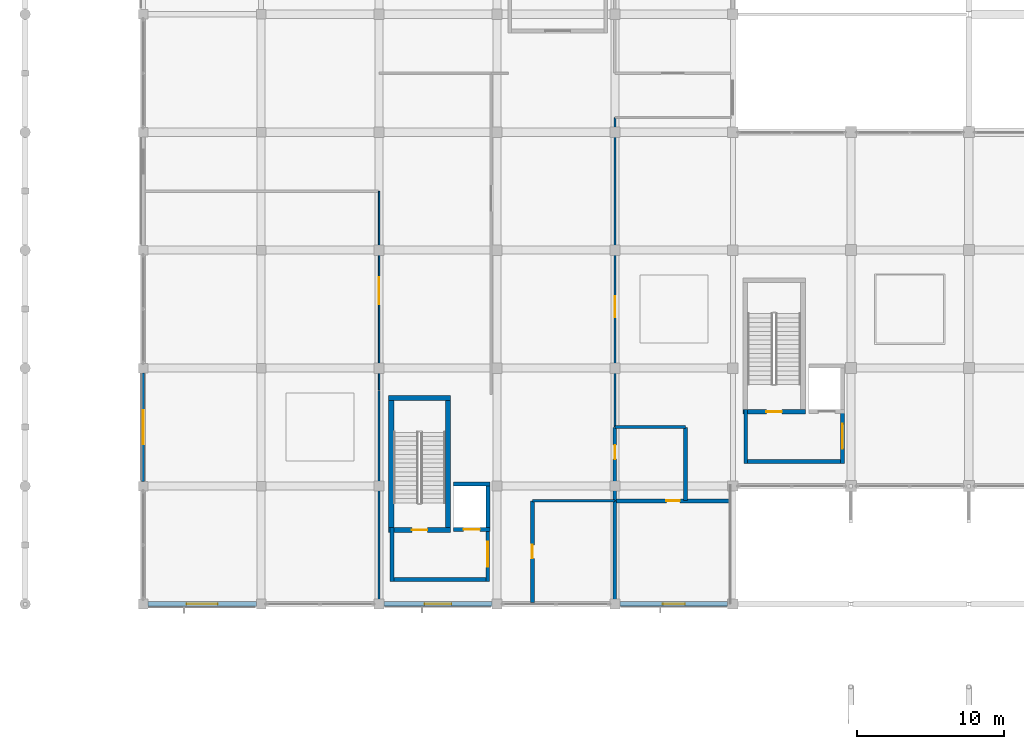
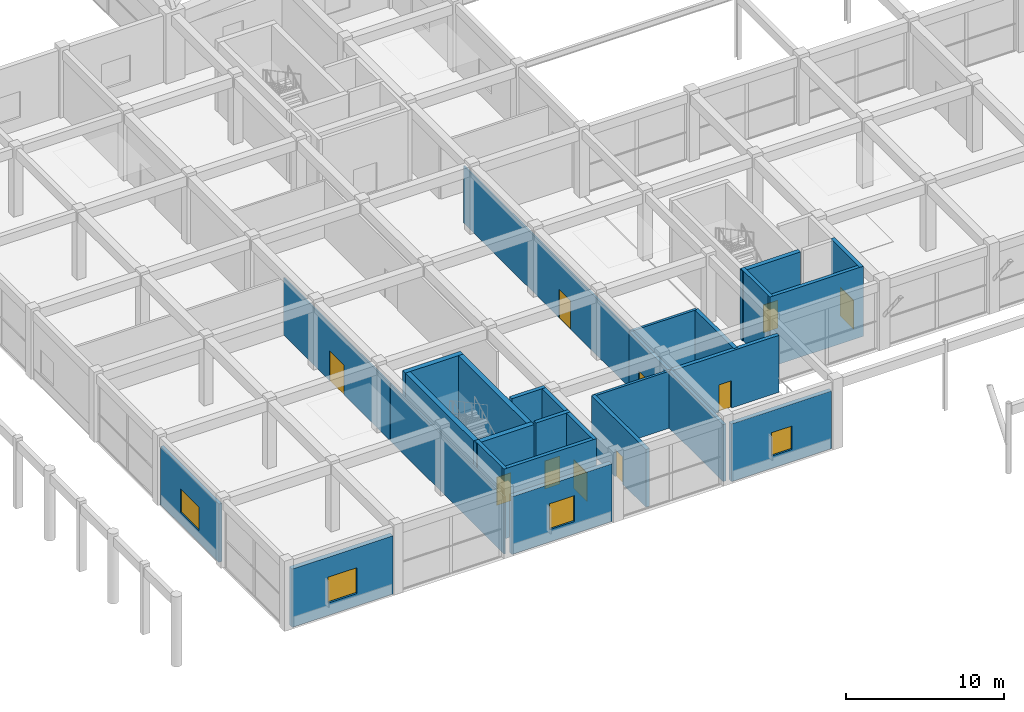
# One storey, part 47 of 69: 28 walls, 10 doors, 4 windows, 14 openings.
"""IFC4 building model written with IfcOpenShell, lengths in metres."""

from ifc_helpers import new_model, si_unit, direction, frame, frame_2d, origin, place, context, subcontext, project, spatial, rectangle, extrude, material, layer, layer_set, type_object, element, fill, save


model = new_model("IFC4")

# Units and contexts
model_context = context("Model", 3, precision=1e-05, world=origin(), true_north=direction((0.0, 1.0)))
body_context = subcontext(model_context, "Body", "Model", "MODEL_VIEW")
ifc_project = project(units=[si_unit("LENGTHUNIT", "METRE"), si_unit("AREAUNIT", "SQUARE_METRE"), si_unit("VOLUMEUNIT", "CUBIC_METRE"), si_unit("PLANEANGLEUNIT", "RADIAN"), si_unit("MASSUNIT", "GRAM", prefix="KILO")], contexts=[model_context])

# Site, building, storey
site_placement = place(None, origin())
site = spatial("IfcSite", under=ifc_project, at=site_placement, CompositionType="ELEMENT")
building_placement = place(site_placement, origin())
building = spatial("IfcBuilding", under=site, at=building_placement, Name="Kenh Van Central Station", CompositionType="ELEMENT")
storey_placement = place(building_placement, frame((0.0, 0.0, 5.39990234375)))
storey = spatial("IfcBuildingStorey", under=building, at=storey_placement, Name="L01", CompositionType="ELEMENT", Elevation=5.39990234375)

# Wall, opening, door
ifc_material_1 = material(Name="Concrete C40/50", Category="concrete")
ifc_layer_1 = layer(ifc_material_1, 0.280029296875, Name="Concrete C40/50")
ifc_layer_set_1 = layer_set([ifc_layer_1], Name="Concrete C40/50")
wall_type_1 = type_object("IfcWallType", Name="WL-CORE-280", PredefinedType="SHEAR", material=ifc_layer_set_1)
wall_1_placement = place(storey_placement, frame((29.050048828125, 13.06005859375, 0.0), z_axis=(0.0, 0.0, 1.0), x_axis=(1.0, 0.0, 0.0)))
wall_1 = element("IfcWall", 1, at=wall_1_placement, inside=storey, type_object=wall_type_1, Name="L01 LIFT-P1 shaft wall S", PredefinedType="SHEAR", context=body_context, shape_type="SweptSolid", body=[
    extrude(rectangle(XDim=2.47998046875, YDim=0.280029296875, at=frame_2d((1.239990234375, 0.0))), origin(), (0.0, 0.0, 1.0), 5.400146484375),
])
opening_1_placement = place(wall_1_placement, frame((0.68994140625, 0.0, 0.0)))
opening_1 = element("IfcOpeningElement", 2, at=opening_1_placement, cuts=wall_1, Name="Opening LD-P1", PredefinedType="OPENING", context=body_context, shape_type="SweptSolid", body=[
    extrude(rectangle(XDim=1.10009765625, YDim=2.14990234375, at=frame_2d((0.550048828125, 1.074951171875))), frame((0.0, 0.14990234375, 0.0), z_axis=(0.0, -1.0, 0.0), x_axis=(1.0, 0.0, 0.0)), (0.0, 0.0, 1.0), 0.300048828125),
])
ifc_material_2 = material(Name="Champagne anodised aluminium", Category="aluminium")
door_type_1 = type_object("IfcDoorType", Name="DR-LIFT-1100x2150", OperationType="SLIDING_TO_LEFT", PredefinedType="DOOR", material=ifc_material_2)
door_1_placement = place(opening_1_placement, origin())
door_1 = element("IfcDoor", 3, at=door_1_placement, inside=storey, type_object=door_type_1, Name="L01 LIFT-P1 sliding landing door", OperationType="SLIDING_TO_LEFT", OverallHeight=2.14990234375, OverallWidth=1.10009765625, PredefinedType="DOOR", context=body_context, shape_type="SweptSolid", body=[
    extrude(rectangle(XDim=1.10009765625, YDim=2.14990234375, at=frame_2d((0.550048828125, 1.074951171875))), frame((0.0, 0.02490234375, 0.0), z_axis=(0.0, -1.0, 0.0), x_axis=(1.0, 0.0, 0.0)), (0.0, 0.0, 1.0), 0.050048828125),
])
fill(opening_1, door_1)

# Walls
wall_2_placement = place(storey_placement, frame((29.050048828125, 16.139892578125, 0.0), z_axis=(0.0, 0.0, 1.0), x_axis=(1.0, 0.0, 0.0)))
element("IfcWall", 4, at=wall_2_placement, inside=storey, type_object=wall_type_1, Name="L01 LIFT-P1 shaft wall N", PredefinedType="SHEAR", context=body_context, shape_type="SweptSolid", body=[
    extrude(rectangle(XDim=2.47998046875, YDim=0.280029296875, at=frame_2d((1.239990234375, 0.0))), origin(), (0.0, 0.0, 1.0), 5.400146484375),
])
wall_3_placement = place(storey_placement, frame((31.389892578125, 13.199951171875, 0.0), z_axis=(0.0, 0.0, 1.0), x_axis=(0.0, 1.0, 0.0)))
element("IfcWall", 5, at=wall_3_placement, inside=storey, type_object=wall_type_1, Name="L01 LIFT-P1 shaft wall E", PredefinedType="SHEAR", context=body_context, shape_type="SweptSolid", body=[
    extrude(rectangle(XDim=2.800048828125, YDim=0.280029296875, at=frame_2d((1.39990234375, 0.0))), origin(), (0.0, 0.0, 1.0), 5.400146484375),
])

# Wall, opening, door
ifc_layer_2 = layer(ifc_material_1, 0.320068359375, Name="Concrete C40/50")
ifc_layer_set_2 = layer_set([ifc_layer_2], Name="Concrete C40/50")
wall_type_2 = type_object("IfcWallType", Name="WL-CORE-320", PredefinedType="SHEAR", material=ifc_layer_set_2)
wall_4_placement = place(storey_placement, frame((48.679931640625, 21.0400390625, 0.0), z_axis=(0.0, 0.0, 1.0), x_axis=(1.0, 0.0, 0.0)))
wall_4 = element("IfcWall", 6, at=wall_4_placement, inside=storey, type_object=wall_type_2, Name="L01 CORE-03 stair wall S", PredefinedType="SHEAR", context=body_context, shape_type="SweptSolid", body=[
    extrude(rectangle(XDim=4.239990234375, YDim=0.320068359375, at=frame_2d((2.1201171875, 0.0))), origin(), (0.0, 0.0, 1.0), 5.400146484375),
])
opening_2_placement = place(wall_4_placement, frame((1.594970703125, 0.0, 0.0)))
opening_2 = element("IfcOpeningElement", 7, at=opening_2_placement, cuts=wall_4, Name="Opening D-FD60", PredefinedType="OPENING", context=body_context, shape_type="SweptSolid", body=[
    extrude(rectangle(XDim=1.050048828125, YDim=2.14990234375, at=frame_2d((0.52490234375, 1.074951171875))), frame((0.0, 0.169921875, 0.0), z_axis=(0.0, -1.0, 0.0), x_axis=(1.0, 0.0, 0.0)), (0.0, 0.0, 1.0), 0.340087890625),
])
door_type_2 = type_object("IfcDoorType", Name="DR-FIRE-1050x2150", OperationType="NOTDEFINED", PredefinedType="DOOR", material=ifc_material_2)
door_2_placement = place(opening_2_placement, origin())
door_2 = element("IfcDoor", 8, at=door_2_placement, inside=storey, type_object=door_type_2, Name="L01 ST-03 stair door", OperationType="SINGLE_SWING_RIGHT", OverallHeight=2.14990234375, OverallWidth=1.050048828125, PredefinedType="DOOR", context=body_context, shape_type="SweptSolid", body=[
    extrude(rectangle(XDim=1.050048828125, YDim=2.14990234375, at=frame_2d((0.52490234375, 1.074951171875))), frame((0.0, 0.02490234375, 0.0), z_axis=(0.0, -1.0, 0.0), x_axis=(1.0, 0.0, 0.0)), (0.0, 0.0, 1.0), 0.050048828125),
])
fill(opening_2, door_2)

ifc_layer_3 = layer(ifc_material_1, 0.360107421875, Name="Concrete C40/50")
ifc_layer_set_3 = layer_set([ifc_layer_3], Name="Concrete C40/50")
wall_type_3 = type_object("IfcWallType", Name="WL-CORE-360", PredefinedType="SHEAR", material=ifc_layer_set_3)
wall_5_placement = place(storey_placement, frame((24.639892578125, 13.02001953125, 0.0), z_axis=(0.0, 0.0, 1.0), x_axis=(1.0, 0.0, 0.0)))
wall_5 = element("IfcWall", 9, at=wall_5_placement, inside=storey, type_object=wall_type_3, Name="L01 CORE-01 stair wall S", PredefinedType="SHEAR", context=body_context, shape_type="SweptSolid", body=[
    extrude(rectangle(XDim=4.22021484375, YDim=0.360107421875, at=frame_2d((2.110107421875, 0.0))), origin(), (0.0, 0.0, 1.0), 5.400146484375),
])
opening_3_placement = place(wall_5_placement, frame((1.5849609375, 0.0, 0.0)))
opening_3 = element("IfcOpeningElement", 10, at=opening_3_placement, cuts=wall_5, Name="Opening D-FD60", PredefinedType="OPENING", context=body_context, shape_type="SweptSolid", body=[
    extrude(rectangle(XDim=1.050048828125, YDim=2.14990234375, at=frame_2d((0.52490234375, 1.074951171875))), frame((0.0, 0.18994140625, 0.0), z_axis=(0.0, -1.0, 0.0), x_axis=(1.0, 0.0, 0.0)), (0.0, 0.0, 1.0), 0.380126953125),
])
door_3_placement = place(opening_3_placement, origin())
door_3 = element("IfcDoor", 11, at=door_3_placement, inside=storey, type_object=door_type_2, Name="L01 ST-01 stair door", OperationType="SINGLE_SWING_RIGHT", OverallHeight=2.14990234375, OverallWidth=1.050048828125, PredefinedType="DOOR", context=body_context, shape_type="SweptSolid", body=[
    extrude(rectangle(XDim=1.050048828125, YDim=2.14990234375, at=frame_2d((0.52490234375, 1.074951171875))), frame((0.0, 0.02490234375, 0.0), z_axis=(0.0, -1.0, 0.0), x_axis=(1.0, 0.0, 0.0)), (0.0, 0.0, 1.0), 0.050048828125),
])
fill(opening_3, door_3)

# Walls
wall_6_placement = place(storey_placement, frame((24.639892578125, 21.97998046875, 0.0), z_axis=(0.0, 0.0, 1.0), x_axis=(1.0, 0.0, 0.0)))
element("IfcWall", 12, at=wall_6_placement, inside=storey, type_object=wall_type_3, Name="L01 CORE-01 stair wall N", PredefinedType="SHEAR", context=body_context, shape_type="SweptSolid", body=[
    extrude(rectangle(XDim=4.22021484375, YDim=0.360107421875, at=frame_2d((2.110107421875, 0.0))), origin(), (0.0, 0.0, 1.0), 5.400146484375),
])
for number, where, z_axis, x_axis, name in (
    (13, (24.820068359375, 13.199951171875, 0.0), (0.0, 0.0, 1.0), (0.0, 1.0, 0.0), "L01 CORE-01 stair wall W"),
    (14, (28.679931640625, 13.199951171875, 0.0), (0.0, 0.0, 1.0), (0.0, 1.0, 0.0), "L01 CORE-01 stair wall E"),
):
    element("IfcWall", number, at=place(storey_placement, frame(where, z_axis=z_axis, x_axis=x_axis)), inside=storey, type_object=wall_type_3, Name=name, PredefinedType="SHEAR", context=body_context, shape_type="SweptSolid", body=[
        extrude(rectangle(XDim=8.60009765625, YDim=0.360107421875, at=frame_2d((4.300048828125, 0.0))), origin(), (0.0, 0.0, 1.0), 5.400146484375),
    ])

# Wall, opening, window
ifc_material_3 = material(Name="Saigon buff sandstone and terracotta masonry", Category="masonry")
ifc_layer_4 = layer(ifc_material_3, 0.31005859375, Name="Saigon buff sandstone and terracotta masonry")
ifc_layer_set_4 = layer_set([ifc_layer_4], Name="Saigon buff sandstone and terracotta masonry")
wall_type_4 = type_object("IfcWallType", Name="WL-EXT-310", PredefinedType="STANDARD", material=ifc_layer_set_4)
wall_7_placement = place(storey_placement, frame((40.35009765625, 8.0, 0.0), z_axis=(0.0, 0.0, 1.0), x_axis=(1.0, 0.0, 0.0)))
wall_7 = element("IfcWall", 15, at=wall_7_placement, inside=storey, type_object=wall_type_4, Name="L01 exterior wall 051", PredefinedType="STANDARD", context=body_context, shape_type="SweptSolid", body=[
    extrude(rectangle(XDim=7.2998046875, YDim=0.31005859375, at=frame_2d((3.64990234375, 0.0))), origin(), (0.0, 0.0, 1.0), 4.440185546875),
])
opening_4_placement = place(wall_7_placement, frame((2.89990234375, 0.0, 0.949951171875)))
opening_4 = element("IfcOpeningElement", 16, at=opening_4_placement, cuts=wall_7, Name="Opening WN-11", PredefinedType="OPENING", context=body_context, shape_type="SweptSolid", body=[
    extrude(rectangle(XDim=1.5, YDim=1.800048828125, at=frame_2d((0.75, 0.89990234375))), frame((0.0, 0.1650390625, 0.0), z_axis=(0.0, -1.0, 0.0), x_axis=(1.0, 0.0, 0.0)), (0.0, 0.0, 1.0), 0.330078125),
])
ifc_material_4 = material(Name="Double-glazed low-E laminated solar glass", Category="glass")
window_type_1 = type_object("IfcWindowType", Name="WN-RETL-1500x1800", PartitioningType="SINGLE_PANEL", PredefinedType="WINDOW", material=ifc_material_4)
window_1_placement = place(opening_4_placement, origin())
window_1 = element("IfcWindow", 17, at=window_1_placement, inside=storey, type_object=window_type_1, Name="L01 window 023", OverallHeight=1.800048828125, OverallWidth=1.5, PartitioningType="SINGLE_PANEL", PredefinedType="WINDOW", context=body_context, shape_type="SweptSolid", body=[
    extrude(rectangle(XDim=1.5, YDim=1.800048828125, at=frame_2d((0.75, 0.89990234375))), frame((0.0, 0.030029296875, 0.0), z_axis=(0.0, -1.0, 0.0), x_axis=(1.0, 0.0, 0.0)), (0.0, 0.0, 1.0), 0.06005859375),
])
fill(opening_4, window_1)

ifc_layer_5 = layer(ifc_material_3, 0.330078125, Name="Saigon buff sandstone and terracotta masonry")
ifc_layer_set_5 = layer_set([ifc_layer_5], Name="Saigon buff sandstone and terracotta masonry")
wall_type_5 = type_object("IfcWallType", Name="WL-EXT-330", PredefinedType="STANDARD", material=ifc_layer_set_5)
wall_8_placement = place(storey_placement, frame((24.35009765625, 8.0, 0.0), z_axis=(0.0, 0.0, 1.0), x_axis=(1.0, 0.0, 0.0)))
wall_8 = element("IfcWall", 18, at=wall_8_placement, inside=storey, type_object=wall_type_5, Name="L01 exterior wall 050", PredefinedType="STANDARD", context=body_context, shape_type="SweptSolid", body=[
    extrude(rectangle(XDim=7.2998046875, YDim=0.330078125, at=frame_2d((3.64990234375, 0.0))), origin(), (0.0, 0.0, 1.0), 4.440185546875),
])
opening_5_placement = place(wall_8_placement, frame((2.75, 0.0, 0.949951171875)))
opening_5 = element("IfcOpeningElement", 19, at=opening_5_placement, cuts=wall_8, Name="Opening WN-10", PredefinedType="OPENING", context=body_context, shape_type="SweptSolid", body=[
    extrude(rectangle(XDim=1.800048828125, YDim=2.0, at=frame_2d((0.89990234375, 1.0))), frame((0.0, 0.175048828125, 0.0), z_axis=(0.0, -1.0, 0.0), x_axis=(1.0, 0.0, 0.0)), (0.0, 0.0, 1.0), 0.35009765625),
])
window_type_2 = type_object("IfcWindowType", Name="WN-RETL-1800x2000", PartitioningType="DOUBLE_PANEL_VERTICAL", PredefinedType="WINDOW", material=ifc_material_4)
window_2_placement = place(opening_5_placement, origin())
window_2 = element("IfcWindow", 20, at=window_2_placement, inside=storey, type_object=window_type_2, Name="L01 window 022", OverallHeight=2.0, OverallWidth=1.800048828125, PartitioningType="SINGLE_PANEL", PredefinedType="WINDOW", context=body_context, shape_type="SweptSolid", body=[
    extrude(rectangle(XDim=1.800048828125, YDim=2.0, at=frame_2d((0.89990234375, 1.0))), frame((0.0, 0.030029296875, 0.0), z_axis=(0.0, -1.0, 0.0), x_axis=(1.0, 0.0, 0.0)), (0.0, 0.0, 1.0), 0.06005859375),
])
fill(opening_5, window_2)

ifc_layer_6 = layer(ifc_material_3, 0.35009765625, Name="Saigon buff sandstone and terracotta masonry")
ifc_layer_set_6 = layer_set([ifc_layer_6], Name="Saigon buff sandstone and terracotta masonry")
wall_type_6 = type_object("IfcWallType", Name="WL-EXT-350", PredefinedType="STANDARD", material=ifc_layer_set_6)
wall_9_placement = place(storey_placement, frame((8.324951171875, 8.0, 0.0), z_axis=(0.0, 0.0, 1.0), x_axis=(1.0, 0.0, 0.0)))
wall_9 = element("IfcWall", 21, at=wall_9_placement, inside=storey, type_object=wall_type_6, Name="L01 exterior wall 049", PredefinedType="STANDARD", context=body_context, shape_type="SweptSolid", body=[
    extrude(rectangle(XDim=7.35009765625, YDim=0.35009765625, at=frame_2d((3.675048828125, 0.0))), origin(), (0.0, 0.0, 1.0), 4.485107421875),
])
opening_6_placement = place(wall_9_placement, frame((2.625, 0.0, 0.949951171875)))
opening_6 = element("IfcOpeningElement", 22, at=opening_6_placement, cuts=wall_9, Name="Opening WN-09", PredefinedType="OPENING", context=body_context, shape_type="SweptSolid", body=[
    extrude(rectangle(XDim=2.10009765625, YDim=2.0, at=frame_2d((1.050048828125, 1.0))), frame((0.0, 0.18505859375, 0.0), z_axis=(0.0, -1.0, 0.0), x_axis=(1.0, 0.0, 0.0)), (0.0, 0.0, 1.0), 0.3701171875),
])
window_type_3 = type_object("IfcWindowType", Name="WN-RETL-2100x2000", PartitioningType="DOUBLE_PANEL_VERTICAL", PredefinedType="WINDOW", material=ifc_material_4)
window_3_placement = place(opening_6_placement, origin())
window_3 = element("IfcWindow", 23, at=window_3_placement, inside=storey, type_object=window_type_3, Name="L01 window 021", OverallHeight=2.0, OverallWidth=2.10009765625, PartitioningType="SINGLE_PANEL", PredefinedType="WINDOW", context=body_context, shape_type="SweptSolid", body=[
    extrude(rectangle(XDim=2.10009765625, YDim=2.0, at=frame_2d((1.050048828125, 1.0))), frame((0.0, 0.030029296875, 0.0), z_axis=(0.0, -1.0, 0.0), x_axis=(1.0, 0.0, 0.0)), (0.0, 0.0, 1.0), 0.06005859375),
])
fill(opening_6, window_3)

# Walls
ifc_layer_7 = layer(ifc_material_1, 0.260009765625, Name="Concrete C40/50")
ifc_layer_set_7 = layer_set([ifc_layer_7], Name="Concrete C40/50")
wall_type_7 = type_object("IfcWallType", Name="WL-FIRE-260", PredefinedType="SHEAR", material=ifc_layer_set_7)
wall_10_placement = place(storey_placement, frame((31.510009765625, 9.669921875, 0.0), z_axis=(0.0, 0.0, 1.0), x_axis=(-1.0, 0.0, 0.0)))
element("IfcWall", 24, at=wall_10_placement, inside=storey, type_object=wall_type_7, Name="L01 CORE-01 lobby wall S", PredefinedType="SHEAR", context=body_context, shape_type="SweptSolid", body=[
    extrude(rectangle(XDim=6.77001953125, YDim=0.260009765625, at=frame_2d((3.385009765625, 0.0))), origin(), (0.0, 0.0, 1.0), 5.400146484375),
])
wall_11_placement = place(storey_placement, frame((24.8701171875, 9.5400390625, 0.0), z_axis=(0.0, 0.0, 1.0), x_axis=(0.0, 1.0, 0.0)))
element("IfcWall", 25, at=wall_11_placement, inside=storey, type_object=wall_type_7, Name="L01 CORE-01 lobby wall W", PredefinedType="SHEAR", context=body_context, shape_type="SweptSolid", body=[
    extrude(rectangle(XDim=3.659912109375, YDim=0.260009765625, at=frame_2d((1.830078125, 0.0))), origin(), (0.0, 0.0, 1.0), 5.400146484375),
])

# Wall, opening, door
wall_12_placement = place(storey_placement, frame((31.3798828125, 9.5400390625, 0.0), z_axis=(0.0, 0.0, 1.0), x_axis=(0.0, 1.0, 0.0)))
wall_12 = element("IfcWall", 26, at=wall_12_placement, inside=storey, type_object=wall_type_7, Name="L01 CORE-01 lobby wall E", PredefinedType="SHEAR", context=body_context, shape_type="SweptSolid", body=[
    extrude(rectangle(XDim=3.659912109375, YDim=0.260009765625, at=frame_2d((1.830078125, 0.0))), origin(), (0.0, 0.0, 1.0), 5.400146484375),
])
opening_7_placement = place(wall_12_placement, frame((0.97998046875, 0.0, 0.0)))
opening_7 = element("IfcOpeningElement", 27, at=opening_7_placement, cuts=wall_12, Name="Opening D-FD60D", PredefinedType="OPENING", context=body_context, shape_type="SweptSolid", body=[
    extrude(rectangle(XDim=1.699951171875, YDim=2.199951171875, at=frame_2d((0.85009765625, 1.10009765625))), frame((0.0, 0.139892578125, 0.0), z_axis=(0.0, -1.0, 0.0), x_axis=(1.0, 0.0, 0.0)), (0.0, 0.0, 1.0), 0.280029296875),
])
door_type_3 = type_object("IfcDoorType", Name="DR-FIRE-1700x2200", OperationType="DOUBLE_DOOR_SINGLE_SWING", PredefinedType="DOOR", material=ifc_material_2)
door_4_placement = place(opening_7_placement, origin())
door_4 = element("IfcDoor", 28, at=door_4_placement, inside=storey, type_object=door_type_3, Name="L01 CORE-01 smoke-stop lobby door", OperationType="DOUBLE_DOOR_SINGLE_SWING", OverallHeight=2.199951171875, OverallWidth=1.699951171875, PredefinedType="DOOR", context=body_context, shape_type="SweptSolid", body=[
    extrude(rectangle(XDim=1.699951171875, YDim=2.199951171875, at=frame_2d((0.85009765625, 1.10009765625))), frame((0.0, 0.02490234375, 0.0), z_axis=(0.0, -1.0, 0.0), x_axis=(1.0, 0.0, 0.0)), (0.0, 0.0, 1.0), 0.050048828125),
])
fill(opening_7, door_4)

# Walls
wall_13_placement = place(storey_placement, frame((55.56005859375, 17.669921875, 0.0), z_axis=(0.0, 0.0, 1.0), x_axis=(-1.0, 0.0, 0.0)))
element("IfcWall", 29, at=wall_13_placement, inside=storey, type_object=wall_type_7, Name="L01 CORE-03 lobby wall S", PredefinedType="SHEAR", context=body_context, shape_type="SweptSolid", body=[
    extrude(rectangle(XDim=6.820068359375, YDim=0.260009765625, at=frame_2d((3.41015625, 0.0))), origin(), (0.0, 0.0, 1.0), 5.400146484375),
])
wall_14_placement = place(storey_placement, frame((48.8701171875, 17.5400390625, 0.0), z_axis=(0.0, 0.0, 1.0), x_axis=(0.0, 1.0, 0.0)))
element("IfcWall", 30, at=wall_14_placement, inside=storey, type_object=wall_type_7, Name="L01 CORE-03 lobby wall W", PredefinedType="SHEAR", context=body_context, shape_type="SweptSolid", body=[
    extrude(rectangle(XDim=3.659912109375, YDim=0.260009765625, at=frame_2d((1.830078125, 0.0))), origin(), (0.0, 0.0, 1.0), 5.400146484375),
])

# Wall, opening, door
wall_15_placement = place(storey_placement, frame((55.429931640625, 17.5400390625, 0.0), z_axis=(0.0, 0.0, 1.0), x_axis=(0.0, 1.0, 0.0)))
wall_15 = element("IfcWall", 31, at=wall_15_placement, inside=storey, type_object=wall_type_7, Name="L01 CORE-03 lobby wall E", PredefinedType="SHEAR", context=body_context, shape_type="SweptSolid", body=[
    extrude(rectangle(XDim=3.659912109375, YDim=0.260009765625, at=frame_2d((1.830078125, 0.0))), origin(), (0.0, 0.0, 1.0), 5.400146484375),
])
opening_8_placement = place(wall_15_placement, frame((0.97998046875, 0.0, 0.0)))
opening_8 = element("IfcOpeningElement", 32, at=opening_8_placement, cuts=wall_15, Name="Opening D-FD60D", PredefinedType="OPENING", context=body_context, shape_type="SweptSolid", body=[
    extrude(rectangle(XDim=1.699951171875, YDim=2.199951171875, at=frame_2d((0.85009765625, 1.10009765625))), frame((0.0, 0.139892578125, 0.0), z_axis=(0.0, -1.0, 0.0), x_axis=(1.0, 0.0, 0.0)), (0.0, 0.0, 1.0), 0.280029296875),
])
door_5_placement = place(opening_8_placement, origin())
door_5 = element("IfcDoor", 33, at=door_5_placement, inside=storey, type_object=door_type_3, Name="L01 CORE-03 smoke-stop lobby door", OperationType="DOUBLE_DOOR_SINGLE_SWING", OverallHeight=2.199951171875, OverallWidth=1.699951171875, PredefinedType="DOOR", context=body_context, shape_type="SweptSolid", body=[
    extrude(rectangle(XDim=1.699951171875, YDim=2.199951171875, at=frame_2d((0.85009765625, 1.10009765625))), frame((0.0, 0.02490234375, 0.0), z_axis=(0.0, -1.0, 0.0), x_axis=(1.0, 0.0, 0.0)), (0.0, 0.0, 1.0), 0.050048828125),
])
fill(opening_8, door_5)

ifc_material_5 = material(Name="Lightweight acoustic masonry blockwork", Category="masonry")
ifc_layer_8 = layer(ifc_material_5, 0.10009765625, Name="Lightweight acoustic masonry blockwork")
ifc_layer_set_8 = layer_set([ifc_layer_8], Name="Lightweight acoustic masonry blockwork")
wall_type_8 = type_object("IfcWallType", Name="WL-PART-100", PredefinedType="PARTITIONING", material=ifc_layer_set_8)
wall_16_placement = place(storey_placement, frame((24.0, 22.52001953125, 0.0), z_axis=(0.0, 0.0, 1.0), x_axis=(0.0, 1.0, 0.0)))
wall_16 = element("IfcWall", 34, at=wall_16_placement, inside=storey, type_object=wall_type_8, Name="L01 interior wall 0097", PredefinedType="PARTITIONING", context=body_context, shape_type="SweptSolid", body=[
    extrude(rectangle(XDim=13.4599609375, YDim=0.10009765625, at=frame_2d((6.72998046875, 0.0))), origin(), (0.0, 0.0, 1.0), 4.39013671875),
])
opening_9_placement = place(wall_16_placement, frame((5.804931640625, 0.0, 0.0)))
opening_9 = element("IfcOpeningElement", 35, at=opening_9_placement, cuts=wall_16, Name="Opening D-IN01", PredefinedType="OPENING", context=body_context, shape_type="SweptSolid", body=[
    extrude(rectangle(XDim=1.85009765625, YDim=2.300048828125, at=frame_2d((0.925048828125, 1.14990234375))), frame((0.0, 0.06005859375, 0.0), z_axis=(0.0, -1.0, 0.0), x_axis=(1.0, 0.0, 0.0)), (0.0, 0.0, 1.0), 0.1201171875),
])
ifc_material_6 = material(Name="Architectural hardwood timber", Category="wood")
door_type_4 = type_object("IfcDoorType", Name="DR-INT-1850x2300", OperationType="DOUBLE_DOOR_SINGLE_SWING", PredefinedType="DOOR", material=ifc_material_6)
door_6_placement = place(opening_9_placement, origin())
door_6 = element("IfcDoor", 36, at=door_6_placement, inside=storey, type_object=door_type_4, Name="L01 interior door 0053", OperationType="DOUBLE_DOOR_SINGLE_SWING", OverallHeight=2.300048828125, OverallWidth=1.85009765625, PredefinedType="DOOR", context=body_context, shape_type="SweptSolid", body=[
    extrude(rectangle(XDim=1.85009765625, YDim=2.300048828125, at=frame_2d((0.925048828125, 1.14990234375))), frame((0.0, 0.02490234375, 0.0), z_axis=(0.0, -1.0, 0.0), x_axis=(1.0, 0.0, 0.0)), (0.0, 0.0, 1.0), 0.050048828125),
])
fill(opening_9, door_6)

# Wall
ifc_layer_9 = layer(ifc_material_5, 0.114990234375, Name="Lightweight acoustic masonry blockwork")
ifc_layer_set_9 = layer_set([ifc_layer_9], Name="Lightweight acoustic masonry blockwork")
wall_type_9 = type_object("IfcWallType", Name="WL-PART-115", PredefinedType="PARTITIONING", material=ifc_layer_set_9)
wall_17_placement = place(storey_placement, frame((24.0, 8.1201171875, 0.0), z_axis=(0.0, 0.0, 1.0), x_axis=(0.0, 1.0, 0.0)))
element("IfcWall", 37, at=wall_17_placement, inside=storey, type_object=wall_type_9, Name="L01 interior wall 0096", PredefinedType="PARTITIONING", context=body_context, shape_type="SweptSolid", body=[
    extrude(rectangle(XDim=14.35986328125, YDim=0.114990234375, at=frame_2d((7.179931640625, 0.0))), origin(), (0.0, 0.0, 1.0), 4.39013671875),
])

# Wall, opening, door
wall_18_placement = place(storey_placement, frame((40.0, 20.02001953125, 0.0), z_axis=(0.0, 0.0, 1.0), x_axis=(0.0, 1.0, 0.0)))
wall_18 = element("IfcWall", 38, at=wall_18_placement, inside=storey, type_object=wall_type_9, Name="L01 interior wall 0103", PredefinedType="PARTITIONING", context=body_context, shape_type="SweptSolid", body=[
    extrude(rectangle(XDim=20.9599609375, YDim=0.114990234375, at=frame_2d((10.47998046875, 0.0))), origin(), (0.0, 0.0, 1.0), 4.39013671875),
])
opening_10_placement = place(wall_18_placement, frame((7.413818359375, 0.0, 0.0)))
opening_10 = element("IfcOpeningElement", 39, at=opening_10_placement, cuts=wall_18, Name="Opening D-IN03", PredefinedType="OPENING", context=body_context, shape_type="SweptSolid", body=[
    extrude(rectangle(XDim=1.449951171875, YDim=2.199951171875, at=frame_2d((0.72509765625, 1.10009765625))), frame((0.0, 0.0673828125, 0.0), z_axis=(0.0, -1.0, 0.0), x_axis=(1.0, 0.0, 0.0)), (0.0, 0.0, 1.0), 0.135009765625),
])
door_type_5 = type_object("IfcDoorType", Name="DR-INT-1450x2200", OperationType="DOUBLE_DOOR_SINGLE_SWING", PredefinedType="DOOR", material=ifc_material_6)
door_7_placement = place(opening_10_placement, origin())
door_7 = element("IfcDoor", 40, at=door_7_placement, inside=storey, type_object=door_type_5, Name="L01 interior door 0056", OperationType="DOUBLE_DOOR_SINGLE_SWING", OverallHeight=2.199951171875, OverallWidth=1.449951171875, PredefinedType="DOOR", context=body_context, shape_type="SweptSolid", body=[
    extrude(rectangle(XDim=1.449951171875, YDim=2.199951171875, at=frame_2d((0.72509765625, 1.10009765625))), frame((0.0, 0.02490234375, 0.0), z_axis=(0.0, -1.0, 0.0), x_axis=(1.0, 0.0, 0.0)), (0.0, 0.0, 1.0), 0.050048828125),
])
fill(opening_10, door_7)

# Walls
ifc_layer_10 = layer(ifc_material_5, 0.18505859375, Name="Lightweight acoustic masonry blockwork")
ifc_layer_set_10 = layer_set([ifc_layer_10], Name="Lightweight acoustic masonry blockwork")
wall_type_10 = type_object("IfcWallType", Name="WL-PLMB-185", PredefinedType="PLUMBINGWALL", material=ifc_layer_set_10)
wall_19_placement = place(storey_placement, frame((34.419921875, 15.0, 0.0), z_axis=(0.0, 0.0, 1.0), x_axis=(1.0, 0.0, 0.0)))
element("IfcWall", 41, at=wall_19_placement, inside=storey, type_object=wall_type_10, Name="L01 interior wall 0107", PredefinedType="PLUMBINGWALL", context=body_context, shape_type="SweptSolid", body=[
    extrude(rectangle(XDim=5.56005859375, YDim=0.18505859375, at=frame_2d((2.780029296875, 0.0))), origin(), (0.0, 0.0, 1.0), 4.39013671875),
])
wall_20_placement = place(storey_placement, frame((40.02001953125, 20.0, 0.0), z_axis=(0.0, 0.0, 1.0), x_axis=(1.0, 0.0, 0.0)))
element("IfcWall", 42, at=wall_20_placement, inside=storey, type_object=wall_type_10, Name="L01 interior wall 0110", PredefinedType="PLUMBINGWALL", context=body_context, shape_type="SweptSolid", body=[
    extrude(rectangle(XDim=4.760009765625, YDim=0.18505859375, at=frame_2d((2.3798828125, 0.0))), origin(), (0.0, 0.0, 1.0), 4.39013671875),
])
ifc_layer_11 = layer(ifc_material_5, 0.22998046875, Name="Lightweight acoustic masonry blockwork")
ifc_layer_set_11 = layer_set([ifc_layer_11], Name="Lightweight acoustic masonry blockwork")
wall_type_11 = type_object("IfcWallType", Name="WL-PLMB-230", PredefinedType="PLUMBINGWALL", material=ifc_layer_set_11)
wall_21_placement = place(storey_placement, frame((40.0, 8.1201171875, 0.0), z_axis=(0.0, 0.0, 1.0), x_axis=(0.0, 1.0, 0.0)))
element("IfcWall", 43, at=wall_21_placement, inside=storey, type_object=wall_type_11, Name="L01 interior wall 0106", PredefinedType="PLUMBINGWALL", context=body_context, shape_type="SweptSolid", body=[
    extrude(rectangle(XDim=6.85986328125, YDim=0.22998046875, at=frame_2d((3.429931640625, 0.0))), origin(), (0.0, 0.0, 1.0), 4.39013671875),
])

# Wall, opening, door
wall_22_placement = place(storey_placement, frame((40.0, 15.02001953125, 0.0), z_axis=(0.0, 0.0, 1.0), x_axis=(0.0, 1.0, 0.0)))
wall_22 = element("IfcWall", 44, at=wall_22_placement, inside=storey, type_object=wall_type_11, Name="L01 interior wall 0109", PredefinedType="PLUMBINGWALL", context=body_context, shape_type="SweptSolid", body=[
    extrude(rectangle(XDim=4.9599609375, YDim=0.22998046875, at=frame_2d((2.47998046875, 0.0))), origin(), (0.0, 0.0, 1.0), 4.39013671875),
])
opening_11_placement = place(wall_22_placement, frame((2.800048828125, 0.0, 0.0)))
opening_11 = element("IfcOpeningElement", 45, at=opening_11_placement, cuts=wall_22, Name="Opening D-IN08", PredefinedType="OPENING", context=body_context, shape_type="SweptSolid", body=[
    extrude(rectangle(XDim=0.9599609375, YDim=2.10009765625, at=frame_2d((0.47998046875, 1.050048828125))), frame((0.0, 0.125, 0.0), z_axis=(0.0, -1.0, 0.0), x_axis=(1.0, 0.0, 0.0)), (0.0, 0.0, 1.0), 0.25),
])
door_type_6 = type_object("IfcDoorType", Name="DR-INT-960x2100", OperationType="NOTDEFINED", PredefinedType="DOOR", material=ifc_material_6)
door_8_placement = place(opening_11_placement, origin())
door_8 = element("IfcDoor", 46, at=door_8_placement, inside=storey, type_object=door_type_6, Name="L01 interior door 0059", OperationType="SINGLE_SWING_RIGHT", OverallHeight=2.10009765625, OverallWidth=0.9599609375, PredefinedType="DOOR", context=body_context, shape_type="SweptSolid", body=[
    extrude(rectangle(XDim=0.9599609375, YDim=2.10009765625, at=frame_2d((0.47998046875, 1.050048828125))), frame((0.0, 0.02490234375, 0.0), z_axis=(0.0, -1.0, 0.0), x_axis=(1.0, 0.0, 0.0)), (0.0, 0.0, 1.0), 0.050048828125),
])
fill(opening_11, door_8)

ifc_layer_12 = layer(ifc_material_5, 0.27001953125, Name="Lightweight acoustic masonry blockwork")
ifc_layer_set_12 = layer_set([ifc_layer_12], Name="Lightweight acoustic masonry blockwork")
wall_type_12 = type_object("IfcWallType", Name="WL-PLMB-270", PredefinedType="PLUMBINGWALL", material=ifc_layer_set_12)
wall_23_placement = place(storey_placement, frame((34.39990234375, 8.1201171875, 0.0), z_axis=(0.0, 0.0, 1.0), x_axis=(0.0, 1.0, 0.0)))
wall_23 = element("IfcWall", 47, at=wall_23_placement, inside=storey, type_object=wall_type_12, Name="L01 interior wall 0105", PredefinedType="PLUMBINGWALL", context=body_context, shape_type="SweptSolid", body=[
    extrude(rectangle(XDim=6.85986328125, YDim=0.27001953125, at=frame_2d((3.429931640625, 0.0))), origin(), (0.0, 0.0, 1.0), 4.440185546875),
])
opening_12_placement = place(wall_23_placement, frame((2.969970703125, 0.0, 0.0)))
opening_12 = element("IfcOpeningElement", 48, at=opening_12_placement, cuts=wall_23, Name="Opening D-IN09", PredefinedType="OPENING", context=body_context, shape_type="SweptSolid", body=[
    extrude(rectangle(XDim=0.919921875, YDim=2.10009765625, at=frame_2d((0.4599609375, 1.050048828125))), frame((0.0, 0.14501953125, 0.0), z_axis=(0.0, -1.0, 0.0), x_axis=(1.0, 0.0, 0.0)), (0.0, 0.0, 1.0), 0.2900390625),
])
door_type_7 = type_object("IfcDoorType", Name="DR-INT-920x2100", OperationType="NOTDEFINED", PredefinedType="DOOR", material=ifc_material_6)
door_9_placement = place(opening_12_placement, origin())
door_9 = element("IfcDoor", 49, at=door_9_placement, inside=storey, type_object=door_type_7, Name="L01 interior door 0057", OperationType="SINGLE_SWING_RIGHT", OverallHeight=2.10009765625, OverallWidth=0.919921875, PredefinedType="DOOR", context=body_context, shape_type="SweptSolid", body=[
    extrude(rectangle(XDim=0.919921875, YDim=2.10009765625, at=frame_2d((0.4599609375, 1.050048828125))), frame((0.0, 0.02490234375, 0.0), z_axis=(0.0, -1.0, 0.0), x_axis=(1.0, 0.0, 0.0)), (0.0, 0.0, 1.0), 0.050048828125),
])
fill(opening_12, door_9)

wall_24_placement = place(storey_placement, frame((40.02001953125, 15.0, 0.0), z_axis=(0.0, 0.0, 1.0), x_axis=(1.0, 0.0, 0.0)))
wall_24 = element("IfcWall", 50, at=wall_24_placement, inside=storey, type_object=wall_type_12, Name="L01 interior wall 0108", PredefinedType="PLUMBINGWALL", context=body_context, shape_type="SweptSolid", body=[
    extrude(rectangle(XDim=7.85986328125, YDim=0.27001953125, at=frame_2d((3.929931640625, 0.0))), origin(), (0.0, 0.0, 1.0), 4.39013671875),
])
opening_13_placement = place(wall_24_placement, frame((3.469970703125, 0.0, 0.0)))
opening_13 = element("IfcOpeningElement", 51, at=opening_13_placement, cuts=wall_24, Name="Opening D-IN09", PredefinedType="OPENING", context=body_context, shape_type="SweptSolid", body=[
    extrude(rectangle(XDim=0.919921875, YDim=2.10009765625, at=frame_2d((0.4599609375, 1.050048828125))), frame((0.0, 0.14501953125, 0.0), z_axis=(0.0, -1.0, 0.0), x_axis=(1.0, 0.0, 0.0)), (0.0, 0.0, 1.0), 0.2900390625),
])
door_10_placement = place(opening_13_placement, origin())
door_10 = element("IfcDoor", 52, at=door_10_placement, inside=storey, type_object=door_type_7, Name="L01 interior door 0058", OperationType="SINGLE_SWING_LEFT", OverallHeight=2.10009765625, OverallWidth=0.919921875, PredefinedType="DOOR", context=body_context, shape_type="SweptSolid", body=[
    extrude(rectangle(XDim=0.919921875, YDim=2.10009765625, at=frame_2d((0.4599609375, 1.050048828125))), frame((0.0, 0.02490234375, 0.0), z_axis=(0.0, -1.0, 0.0), x_axis=(1.0, 0.0, 0.0)), (0.0, 0.0, 1.0), 0.050048828125),
])
fill(opening_13, door_10)

# Wall
wall_25_placement = place(storey_placement, frame((44.800048828125, 15.02001953125, 0.0), z_axis=(0.0, 0.0, 1.0), x_axis=(0.0, 1.0, 0.0)))
element("IfcWall", 53, at=wall_25_placement, inside=storey, type_object=wall_type_12, Name="L01 interior wall 0111", PredefinedType="PLUMBINGWALL", context=body_context, shape_type="SweptSolid", body=[
    extrude(rectangle(XDim=4.9599609375, YDim=0.27001953125, at=frame_2d((2.47998046875, 0.0))), origin(), (0.0, 0.0, 1.0), 4.39013671875),
])

# Wall, opening, window
ifc_material_7 = material(Name="Glazed terracotta architectural masonry", Category="masonry")
ifc_layer_13 = layer(ifc_material_7, 0.219970703125, Name="Glazed terracotta architectural masonry")
ifc_layer_set_13 = layer_set([ifc_layer_13], Name="Glazed terracotta architectural masonry")
wall_type_13 = type_object("IfcWallType", Name="WL-SLD-220", PredefinedType="SOLIDWALL", material=ifc_layer_set_13)
wall_26_placement = place(storey_placement, frame((8.0, 23.675048828125, 0.0), z_axis=(0.0, 0.0, 1.0), x_axis=(0.0, -1.0, 0.0)))
wall_26 = element("IfcWall", 54, at=wall_26_placement, inside=storey, type_object=wall_type_13, Name="L01 exterior wall 054", PredefinedType="SOLIDWALL", context=body_context, shape_type="SweptSolid", body=[
    extrude(rectangle(XDim=7.35009765625, YDim=0.219970703125, at=frame_2d((3.675048828125, 0.0))), origin(), (0.0, 0.0, 1.0), 4.485107421875),
])
opening_14_placement = place(wall_26_placement, frame((2.52490234375, 0.0, 0.949951171875)))
opening_14 = element("IfcOpeningElement", 55, at=opening_14_placement, cuts=wall_26, Name="Opening WN-14", PredefinedType="OPENING", context=body_context, shape_type="SweptSolid", body=[
    extrude(rectangle(XDim=2.300048828125, YDim=1.800048828125, at=frame_2d((1.14990234375, 0.89990234375))), frame((0.0, 0.119873046875, 0.0), z_axis=(0.0, -1.0, 0.0), x_axis=(1.0, 0.0, 0.0)), (0.0, 0.0, 1.0), 0.239990234375),
])
window_type_4 = type_object("IfcWindowType", Name="WN-OP01-2300x1800", PartitioningType="DOUBLE_PANEL_VERTICAL", PredefinedType="WINDOW", material=ifc_material_4)
window_4_placement = place(opening_14_placement, origin())
window_4 = element("IfcWindow", 56, at=window_4_placement, inside=storey, type_object=window_type_4, Name="L01 window 026", OverallHeight=1.800048828125, OverallWidth=2.300048828125, PartitioningType="SINGLE_PANEL", PredefinedType="WINDOW", context=body_context, shape_type="SweptSolid", body=[
    extrude(rectangle(XDim=2.300048828125, YDim=1.800048828125, at=frame_2d((1.14990234375, 0.89990234375))), frame((0.0, 0.030029296875, 0.0), z_axis=(0.0, -1.0, 0.0), x_axis=(1.0, 0.0, 0.0)), (0.0, 0.0, 1.0), 0.06005859375),
])
fill(opening_14, window_4)

save(model, "model.ifc")
